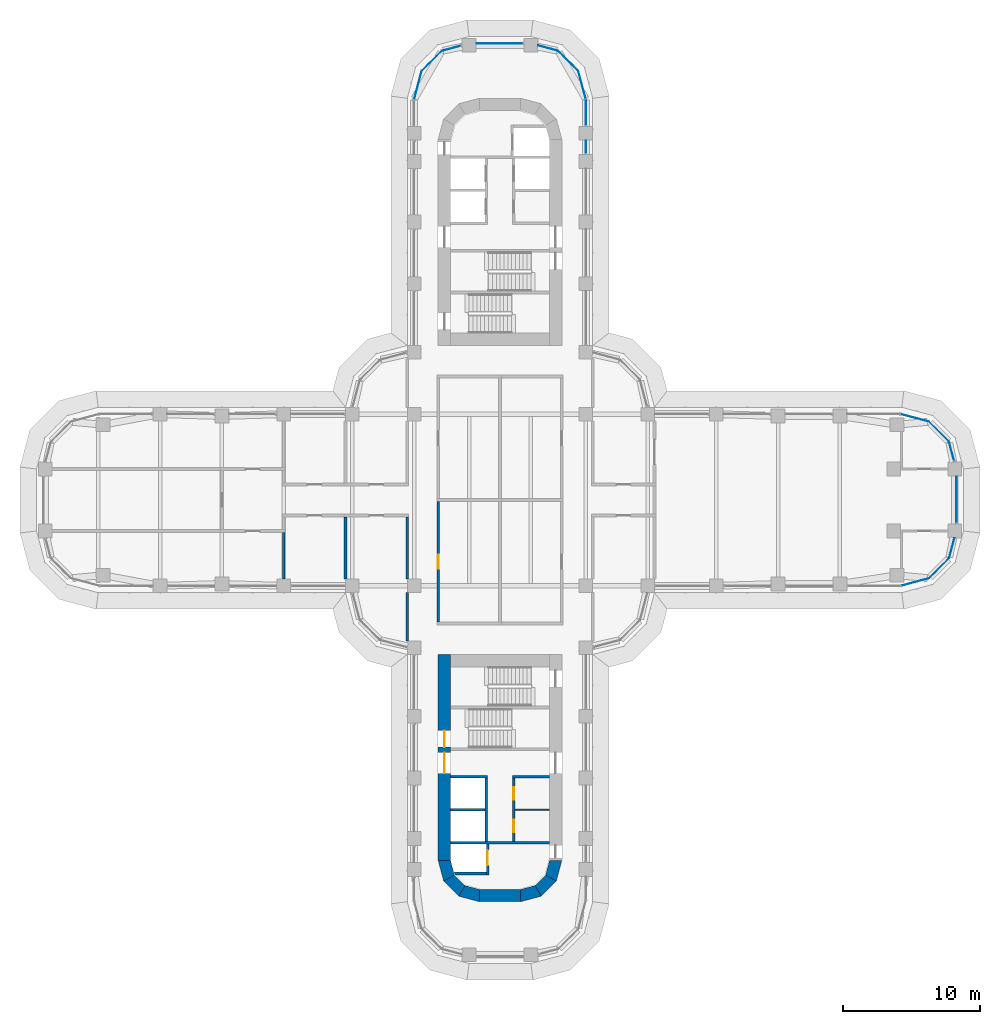
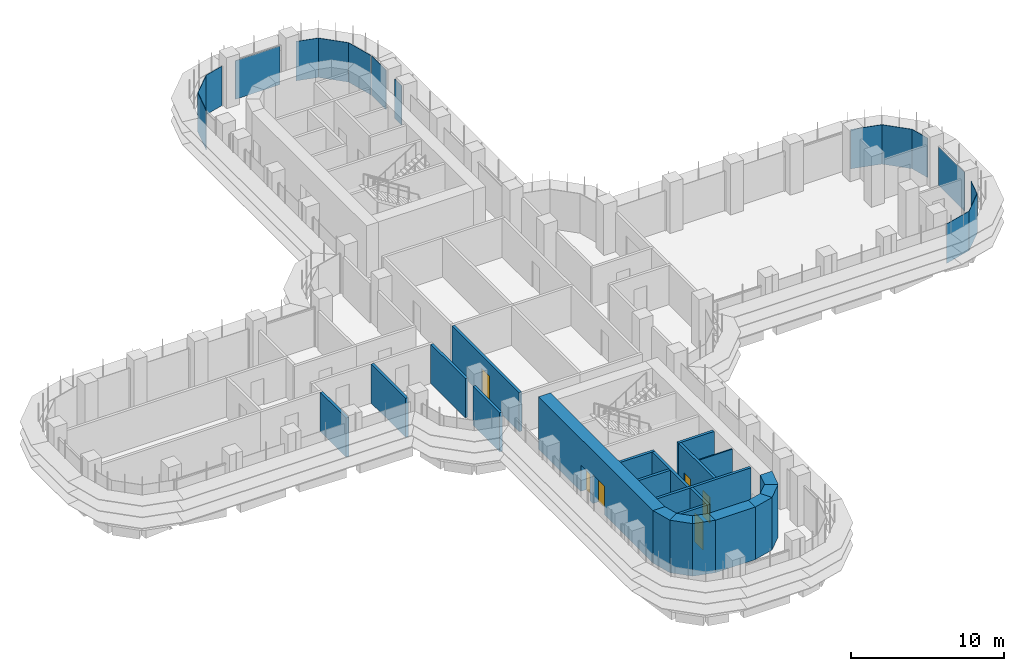
# One storey, part 16 of 23: 22 walls, 16 plates, 6 doors, 6 openings, 15 elements without a shape of their own.
"""IFC4 building model written with IfcOpenShell, lengths in metres."""

from ifc_helpers import new_model, si_unit, direction, frame, frame_2d, origin, place, context, subcontext, project, spatial, polyline, rectangle, outline, extrude, source, transform, mapped, material, layer, layer_set, type_object, element, fill, aggregate, save


model = new_model("IFC4")

# Units and contexts
model_context = context("Model", 3, precision=1e-05, world=origin(), true_north=direction((0.0, 1.0)))
body_context = subcontext(model_context, "Body", "Model", "MODEL_VIEW")
ifc_project = project(units=[si_unit("LENGTHUNIT", "METRE"), si_unit("AREAUNIT", "SQUARE_METRE"), si_unit("VOLUMEUNIT", "CUBIC_METRE"), si_unit("PLANEANGLEUNIT", "RADIAN"), si_unit("MASSUNIT", "GRAM", prefix="KILO")], contexts=[model_context])

# Site, building, storey
site_placement = place(None, origin())
site = spatial("IfcSite", under=ifc_project, at=site_placement, CompositionType="ELEMENT")
building_placement = place(site_placement, origin())
building = spatial("IfcBuilding", under=site, at=building_placement, Name="Zarbagh Exchange Tower", CompositionType="ELEMENT")
storey_placement = place(building_placement, frame((0.0, 0.0, 56.39990234375)))
storey = spatial("IfcBuildingStorey", under=building, at=storey_placement, Name="L12", CompositionType="ELEMENT", Elevation=56.39990234375)

# Curtain wall, plate
ifc_material_1 = material(Name="Anodised aluminium frame and glazing", Category="aluminium")
curtain_wall_type = type_object("IfcCurtainWallType", Name="CWA Ribbon glazing, lower zones", PredefinedType="NOTDEFINED", material=ifc_material_1)
curtain_wall_1_placement = place(storey_placement, origin())
curtain_wall_1 = element("IfcCurtainWall", 1, at=curtain_wall_1_placement, inside=storey, type_object=curtain_wall_type, Name="CWA13 curtain wall", PredefinedType="NOTDEFINED")
ifc_material_2 = material(Name="Low-e double glazed unit, 6+12+6 mm")
ifc_layer_1 = layer(ifc_material_2, 0.028076171875)
ifc_layer_set_1 = layer_set([ifc_layer_1], Name="PAA Glazing panel, Low-e double glazed unit, 6+12+6 mm")
plate_type = type_object("IfcPlateType", Name="PAA Glazing panel, Low-e double glazed unit, 6+12+6 mm", PredefinedType="CURTAIN_PANEL", material=ifc_layer_set_1)
shared_shape_1 = source(origin(), body_context, "Body", "SweptSolid", [
    extrude(outline(polyline([(0.0, -0.013916015625), (1.4423828125, -0.013916015625), (1.4423828125, 0.013916015625), (0.0, 0.013916015625), (0.0, -0.013916015625)])), origin(), (0.0, 0.0, 1.0), 3.14990234375),
])
placement = place(storey_placement, origin())
plate_1 = element("IfcPlate", 2, at=placement, type_object=plate_type, Name="CWA13 glazing panel 1.1", PredefinedType="CURTAIN_PANEL", context=body_context, shape_type="MappedRepresentation", body=[
    mapped(shared_shape_1, transform((33.072021484375, 2.847900390625, 0.0), x_axis=(-0.258824779902, 0.965924289636, 0.0), y_axis=(-0.965924289636, -0.258824779902, 0.0), z_axis=(0.0, 0.0, 1.0))),
])
aggregate(curtain_wall_1, [plate_1])

curtain_wall_2_placement = place(storey_placement, origin())
curtain_wall_2 = element("IfcCurtainWall", 3, at=curtain_wall_2_placement, inside=storey, type_object=curtain_wall_type, Name="CWA25 curtain wall", PredefinedType="NOTDEFINED")
plate_2 = element("IfcPlate", 4, at=placement, type_object=plate_type, Name="CWA25 glazing panel 1.1", PredefinedType="CURTAIN_PANEL", context=body_context, shape_type="MappedRepresentation", body=[
    mapped(shared_shape_1, transform((-2.847900390625, 33.072021484375, 0.0), x_axis=(-0.965924289636, -0.258824779902, 0.0), y_axis=(0.258824779902, -0.965924289636, 0.0), z_axis=(0.0, 0.0, 1.0))),
])
aggregate(curtain_wall_2, [plate_2])

curtain_wall_3_placement = place(storey_placement, origin())
curtain_wall_3 = element("IfcCurtainWall", 5, at=curtain_wall_3_placement, inside=storey, type_object=curtain_wall_type, Name="CWA10 curtain wall", PredefinedType="NOTDEFINED")
shared_shape_2 = source(origin(), body_context, "Body", "SweptSolid", [
    extrude(outline(polyline([(0.0, -0.013916015625), (2.061279296875, -0.013916015625), (2.061279296875, 0.013916015625), (0.0, 0.013916015625), (0.0, -0.013916015625)])), origin(), (0.0, 0.0, 1.0), 3.14990234375),
])
plate_3 = element("IfcPlate", 6, at=placement, type_object=plate_type, Name="CWA10 glazing panel 1.1", PredefinedType="CURTAIN_PANEL", context=body_context, shape_type="MappedRepresentation", body=[
    mapped(shared_shape_2, transform((31.2412109375, -5.69873046875, 0.0), x_axis=(0.707106781187, 0.707106781187, 0.0), y_axis=(-0.707106781187, 0.707106781187, 0.0), z_axis=(0.0, 0.0, 1.0))),
])
aggregate(curtain_wall_3, [plate_3])

curtain_wall_4_placement = place(storey_placement, origin())
curtain_wall_4 = element("IfcCurtainWall", 7, at=curtain_wall_4_placement, inside=storey, type_object=curtain_wall_type, Name="CWA14 curtain wall", PredefinedType="NOTDEFINED")
plate_4 = element("IfcPlate", 8, at=placement, type_object=plate_type, Name="CWA14 glazing panel 1.1", PredefinedType="CURTAIN_PANEL", context=body_context, shape_type="MappedRepresentation", body=[
    mapped(shared_shape_2, transform((32.69873046875, 4.2412109375, 0.0), x_axis=(-0.707106781187, 0.707106781187, 0.0), y_axis=(-0.707106781187, -0.707106781187, 0.0), z_axis=(0.0, 0.0, 1.0))),
])
aggregate(curtain_wall_4, [plate_4])

curtain_wall_5_placement = place(storey_placement, origin())
curtain_wall_5 = element("IfcCurtainWall", 9, at=curtain_wall_5_placement, inside=storey, type_object=curtain_wall_type, Name="CWA22 curtain wall", PredefinedType="NOTDEFINED")
plate_5 = element("IfcPlate", 10, at=placement, type_object=plate_type, Name="CWA22 glazing panel 1.1", PredefinedType="CURTAIN_PANEL", context=body_context, shape_type="MappedRepresentation", body=[
    mapped(shared_shape_2, transform((5.69873046875, 31.2412109375, 0.0), x_axis=(-0.707106781187, 0.707106781187, 0.0), y_axis=(-0.707106781187, -0.707106781187, 0.0), z_axis=(0.0, 0.0, 1.0))),
])
aggregate(curtain_wall_5, [plate_5])

curtain_wall_6_placement = place(storey_placement, origin())
curtain_wall_6 = element("IfcCurtainWall", 11, at=curtain_wall_6_placement, inside=storey, type_object=curtain_wall_type, Name="CWA26 curtain wall", PredefinedType="NOTDEFINED")
plate_6 = element("IfcPlate", 12, at=placement, type_object=plate_type, Name="CWA26 glazing panel 1.1", PredefinedType="CURTAIN_PANEL", context=body_context, shape_type="MappedRepresentation", body=[
    mapped(shared_shape_2, transform((-4.2412109375, 32.69873046875, 0.0), x_axis=(-0.707106781187, -0.707106781187, 0.0), y_axis=(0.707106781187, -0.707106781187, 0.0), z_axis=(0.0, 0.0, 1.0))),
])
aggregate(curtain_wall_6, [plate_6])

curtain_wall_7_placement = place(storey_placement, origin())
curtain_wall_7 = element("IfcCurtainWall", 13, at=curtain_wall_7_placement, inside=storey, type_object=curtain_wall_type, Name="CWA15 curtain wall", PredefinedType="NOTDEFINED")
shared_shape_3 = source(origin(), body_context, "Body", "SweptSolid", [
    extrude(outline(polyline([(0.0, -0.013916015625), (2.129638671875, -0.013916015625), (2.129638671875, 0.013916015625), (0.0, 0.013916015625), (0.0, -0.013916015625)])), origin(), (0.0, 0.0, 1.0), 3.14990234375),
])
plate_7 = element("IfcPlate", 14, at=placement, type_object=plate_type, Name="CWA15 glazing panel 1.1", PredefinedType="CURTAIN_PANEL", context=body_context, shape_type="MappedRepresentation", body=[
    mapped(shared_shape_3, transform((31.2412109375, 5.69873046875, 0.0), x_axis=(-0.965924289636, 0.258824779902, 0.0), y_axis=(-0.258824779902, -0.965924289636, 0.0), z_axis=(0.0, 0.0, 1.0))),
])
aggregate(curtain_wall_7, [plate_7])

curtain_wall_8_placement = place(storey_placement, origin())
curtain_wall_8 = element("IfcCurtainWall", 15, at=curtain_wall_8_placement, inside=storey, type_object=curtain_wall_type, Name="CWA27 curtain wall", PredefinedType="NOTDEFINED")
plate_8 = element("IfcPlate", 16, at=placement, type_object=plate_type, Name="CWA27 glazing panel 1.1", PredefinedType="CURTAIN_PANEL", context=body_context, shape_type="MappedRepresentation", body=[
    mapped(shared_shape_3, transform((-5.69873046875, 31.2412109375, 0.0), x_axis=(-0.258824779902, -0.965924289636, 0.0), y_axis=(0.965924289636, -0.258824779902, 0.0), z_axis=(0.0, 0.0, 1.0))),
])
aggregate(curtain_wall_8, [plate_8])

curtain_wall_9_placement = place(storey_placement, origin())
curtain_wall_9 = element("IfcCurtainWall", 17, at=curtain_wall_9_placement, inside=storey, type_object=curtain_wall_type, Name="CWA09 curtain wall", PredefinedType="NOTDEFINED")
shared_shape_4 = source(origin(), body_context, "Body", "SweptSolid", [
    extrude(outline(polyline([(0.0, -0.013916015625), (2.069580078125, -0.013916015625), (2.069580078125, 0.013916015625), (0.0, 0.013916015625), (0.0, -0.013916015625)])), origin(), (0.0, 0.0, 1.0), 3.14990234375),
])
plate_9 = element("IfcPlate", 18, at=placement, type_object=plate_type, Name="CWA09 glazing panel 1.1", PredefinedType="CURTAIN_PANEL", context=body_context, shape_type="MappedRepresentation", body=[
    mapped(shared_shape_4, transform((29.2421875, -6.234375, 0.0), x_axis=(0.965924289636, 0.258824779902, 0.0), y_axis=(-0.258824779902, 0.965924289636, 0.0), z_axis=(0.0, 0.0, 1.0))),
])
aggregate(curtain_wall_9, [plate_9])

curtain_wall_10_placement = place(storey_placement, origin())
curtain_wall_10 = element("IfcCurtainWall", 19, at=curtain_wall_10_placement, inside=storey, type_object=curtain_wall_type, Name="CWA21 curtain wall", PredefinedType="NOTDEFINED")
plate_10 = element("IfcPlate", 20, at=placement, type_object=plate_type, Name="CWA21 glazing panel 1.1", PredefinedType="CURTAIN_PANEL", context=body_context, shape_type="MappedRepresentation", body=[
    mapped(shared_shape_4, transform((6.234375, 29.2421875, 0.0), x_axis=(-0.258824779902, 0.965924289636, 0.0), y_axis=(-0.965924289636, -0.258824779902, 0.0), z_axis=(0.0, 0.0, 1.0))),
])
aggregate(curtain_wall_10, [plate_10])

curtain_wall_11_placement = place(storey_placement, origin())
curtain_wall_11 = element("IfcCurtainWall", 21, at=curtain_wall_11_placement, inside=storey, type_object=curtain_wall_type, Name="CWA11 curtain wall", PredefinedType="NOTDEFINED")
shared_shape_5 = source(origin(), body_context, "Body", "SweptSolid", [
    extrude(outline(polyline([(0.0, -0.013916015625), (1.50244140625, -0.013916015625), (1.50244140625, 0.013916015625), (0.0, 0.013916015625), (0.0, -0.013916015625)])), origin(), (0.0, 0.0, 1.0), 3.14990234375),
])
plate_11 = element("IfcPlate", 22, at=placement, type_object=plate_type, Name="CWA11 glazing panel 1.1", PredefinedType="CURTAIN_PANEL", context=body_context, shape_type="MappedRepresentation", body=[
    mapped(shared_shape_5, transform((32.69873046875, -4.2412109375, 0.0), x_axis=(0.258824779902, 0.965924289636, 0.0), y_axis=(-0.965924289636, 0.258824779902, 0.0), z_axis=(0.0, 0.0, 1.0))),
])
aggregate(curtain_wall_11, [plate_11])

curtain_wall_12_placement = place(storey_placement, origin())
curtain_wall_12 = element("IfcCurtainWall", 23, at=curtain_wall_12_placement, inside=storey, type_object=curtain_wall_type, Name="CWA23 curtain wall", PredefinedType="NOTDEFINED")
plate_12 = element("IfcPlate", 24, at=placement, type_object=plate_type, Name="CWA23 glazing panel 1.1", PredefinedType="CURTAIN_PANEL", context=body_context, shape_type="MappedRepresentation", body=[
    mapped(shared_shape_5, transform((4.2412109375, 32.69873046875, 0.0), x_axis=(-0.965924289636, 0.258824779902, 0.0), y_axis=(-0.258824779902, -0.965924289636, 0.0), z_axis=(0.0, 0.0, 1.0))),
])
aggregate(curtain_wall_12, [plate_12])

curtain_wall_13_placement = place(storey_placement, origin())
curtain_wall_13 = element("IfcCurtainWall", 25, at=curtain_wall_13_placement, inside=storey, type_object=curtain_wall_type, Name="CWA12 curtain wall", PredefinedType="NOTDEFINED")
shared_shape_6 = source(origin(), body_context, "Body", "SweptSolid", [
    extrude(outline(polyline([(0.0, -0.013916015625), (3.360107421875, -0.013916015625), (3.360107421875, 0.013916015625), (0.0, 0.013916015625), (0.0, -0.013916015625)])), origin(), (0.0, 0.0, 1.0), 3.090087890625),
])
plate_13 = element("IfcPlate", 26, at=placement, type_object=plate_type, Name="CWA12 glazing panel 1.1", PredefinedType="CURTAIN_PANEL", context=body_context, shape_type="MappedRepresentation", body=[
    mapped(shared_shape_6, transform((33.25, -1.64990234375, 0.0), x_axis=(0.0, 1.0, 0.0), y_axis=(-1.0, 0.0, 0.0), z_axis=(0.0, 0.0, 1.0))),
])
aggregate(curtain_wall_13, [plate_13])

curtain_wall_14_placement = place(storey_placement, origin())
curtain_wall_14 = element("IfcCurtainWall", 27, at=curtain_wall_14_placement, inside=storey, type_object=curtain_wall_type, Name="CWA24 curtain wall", PredefinedType="NOTDEFINED")
plate_14 = element("IfcPlate", 28, at=placement, type_object=plate_type, Name="CWA24 glazing panel 1.1", PredefinedType="CURTAIN_PANEL", context=body_context, shape_type="MappedRepresentation", body=[
    mapped(shared_shape_6, transform((1.64990234375, 33.25, 0.0), x_axis=(-1.0, 0.0, 0.0), y_axis=(0.0, -1.0, 0.0), z_axis=(0.0, 0.0, 1.0))),
])
aggregate(curtain_wall_14, [plate_14])

# Curtain wall, plates
curtain_wall_15_placement = place(storey_placement, origin())
curtain_wall_15 = element("IfcCurtainWall", 29, at=curtain_wall_15_placement, inside=storey, type_object=curtain_wall_type, Name="CWA20 curtain wall", PredefinedType="NOTDEFINED")
shared_shape_7 = source(origin(), body_context, "Body", "SweptSolid", [
    extrude(outline(polyline([(0.0, -0.013916015625), (0.909912109375, -0.013916015625), (0.909912109375, 0.013916015625), (0.0, 0.013916015625), (0.0, -0.013916015625)])), origin(), (0.0, 0.0, 1.0), 3.14990234375),
])
plate_15 = element("IfcPlate", 30, at=placement, type_object=plate_type, Name="CWA20 glazing panel 4.1", PredefinedType="CURTAIN_PANEL", context=body_context, shape_type="MappedRepresentation", body=[
    mapped(shared_shape_7, transform((6.25, 25.25, 0.0), x_axis=(0.0, 1.0, 0.0), y_axis=(-1.0, 0.0, 0.0), z_axis=(0.0, 0.0, 1.0))),
])
shared_shape_8 = source(origin(), body_context, "Body", "SweptSolid", [
    extrude(outline(polyline([(0.0, -0.013916015625), (1.884033203125, -0.013916015625), (1.884033203125, 0.013916015625), (0.0, 0.013916015625), (0.0, -0.013916015625)])), origin(), (0.0, 0.0, 1.0), 3.14990234375),
])
plate_16 = element("IfcPlate", 31, at=placement, type_object=plate_type, Name="CWA20 glazing panel 5.1", PredefinedType="CURTAIN_PANEL", context=body_context, shape_type="MappedRepresentation", body=[
    mapped(shared_shape_8, transform((6.25, 27.300048828125, 0.0), x_axis=(0.0, 1.0, 0.0), y_axis=(-1.0, 0.0, 0.0), z_axis=(0.0, 0.0, 1.0))),
])
aggregate(curtain_wall_15, [plate_15, plate_16])

# Wall
ifc_material_3 = material(Name="Dense blockwork", Category="masonry")
ifc_layer_2 = layer(ifc_material_3, 0.10009765625)
ifc_layer_set_2 = layer_set([ifc_layer_2], Name="Core partition 100 mm blockwork")
wall_type_1 = type_object("IfcWallType", Name="Core partition 100 mm blockwork", PredefinedType="PARTITIONING", material=ifc_layer_set_2)
wall_1_placement = place(storey_placement, frame((3.60009765625, -22.550048828125, 0.0), z_axis=(0.0, 0.0, 1.0), x_axis=(-1.0, 0.0, 0.0)))
element("IfcWall", 32, at=wall_1_placement, inside=storey, type_object=wall_type_1, Name="South core partition wall CUT-W-580", PredefinedType="PARTITIONING", context=body_context, shape_type="SweptSolid", body=[
    extrude(rectangle(XDim=2.5, YDim=0.10009765625, at=frame_2d((1.25, 0.0))), origin(), (0.0, 0.0, 1.0), 4.050048828125),
])

# Wall, opening, door
ifc_material_4 = material(Name="Fire-rated plasterboard partition")
ifc_layer_3 = layer(ifc_material_4, 0.199951171875)
ifc_layer_set_3 = layer_set([ifc_layer_3], Name="RATED PARTITION 200")
wall_type_2 = type_object("IfcWallType", Name="RATED PARTITION 200", PredefinedType="PARTITIONING", material=ifc_layer_set_3)
wall_2_placement = place(storey_placement, frame((-4.5, -0.10009765625, 0.0), z_axis=(0.0, 0.0, 1.0), x_axis=(0.0, -1.0, 0.0)))
wall_2 = element("IfcWall", 33, at=wall_2_placement, inside=storey, type_object=wall_type_2, Name="Partition W-402", PredefinedType="PARTITIONING", context=body_context, shape_type="SweptSolid", body=[
    extrude(rectangle(XDim=8.7998046875, YDim=0.199951171875, at=frame_2d((4.39990234375, 0.0))), origin(), (0.0, 0.0, 1.0), 3.130615234375),
])
opening_1_placement = place(wall_2_placement, frame((3.89990234375, 0.0, 0.0)))
opening_1 = element("IfcOpeningElement", 34, at=opening_1_placement, cuts=wall_2, Name="Opening D-404", PredefinedType="OPENING", context=body_context, shape_type="SweptSolid", body=[
    extrude(rectangle(XDim=1.0, YDim=2.10009765625, at=frame_2d((0.5, 1.050048828125))), frame((0.0, 0.10986328125, 0.0), z_axis=(0.0, -1.0, 0.0), x_axis=(1.0, 0.0, 0.0)), (0.0, 0.0, 1.0), 0.219970703125),
])
ifc_material_5 = material(Name="Steel door set", Category="steel")
door_type_1 = type_object("IfcDoorType", Name="FIRE DOOR 1000 X 2100 FD30S", OperationType="NOTDEFINED", PredefinedType="DOOR", material=ifc_material_5)
door_1_placement = place(opening_1_placement, origin())
door_1 = element("IfcDoor", 35, at=door_1_placement, inside=storey, type_object=door_type_1, Name="Door D-404", OperationType="SINGLE_SWING_RIGHT", OverallHeight=2.10009765625, OverallWidth=1.0, PredefinedType="DOOR", context=body_context, shape_type="SweptSolid", body=[
    extrude(rectangle(XDim=1.0, YDim=2.10009765625, at=frame_2d((0.5, 1.050048828125))), frame((0.0, 0.02490234375, 0.0), z_axis=(0.0, -1.0, 0.0), x_axis=(1.0, 0.0, 0.0)), (0.0, 0.0, 1.0), 0.050048828125),
])
fill(opening_1, door_1)

# Walls
wall_3_placement = place(storey_placement, frame((-6.75, -10.25, 0.0), z_axis=(0.0, 0.0, 1.0), x_axis=(0.0, 1.0, 0.0)))
element("IfcWall", 36, at=wall_3_placement, inside=storey, type_object=wall_type_2, Name="Partition W-405", PredefinedType="PARTITIONING", context=body_context, shape_type="SweptSolid", body=[
    extrude(rectangle(XDim=3.5, YDim=0.199951171875, at=frame_2d((1.75, 0.0))), origin(), (0.0, 0.0, 1.0), 3.130615234375),
])
for number, where, z_axis, x_axis, name in (
    (37, (-6.75, -5.75, 0.0), (0.0, 0.0, 1.0), (0.0, 1.0, 0.0), "Partition W-406"),
    (38, (-11.25, -5.75, 0.0), (0.0, 0.0, 1.0), (0.0, 1.0, 0.0), "Partition W-435"),
):
    element("IfcWall", number, at=place(storey_placement, frame(where, z_axis=z_axis, x_axis=x_axis)), inside=storey, type_object=wall_type_2, Name=name, PredefinedType="PARTITIONING", context=body_context, shape_type="SweptSolid", body=[
        extrude(rectangle(XDim=4.52490234375, YDim=0.199951171875, at=frame_2d((2.262451171875, 0.0))), origin(), (0.0, 0.0, 1.0), 3.130615234375),
    ])
wall_4_placement = place(storey_placement, frame((-15.75, -5.75, 0.0), z_axis=(0.0, 0.0, 1.0), x_axis=(0.0, 1.0, 0.0)))
element("IfcWall", 39, at=wall_4_placement, inside=storey, type_object=wall_type_2, Name="Partition W-439", PredefinedType="PARTITIONING", context=body_context, shape_type="SweptSolid", body=[
    extrude(rectangle(XDim=3.39990234375, YDim=0.199951171875, at=frame_2d((1.699951171875, 0.0))), origin(), (0.0, 0.0, 1.0), 3.130615234375),
])
ifc_material_6 = material(Name="Concrete C60/75", Category="concrete")
ifc_layer_4 = layer(ifc_material_6, 0.89990234375)
ifc_layer_set_4 = layer_set([ifc_layer_4], Name="RC core corner wall 900 C60/75")
wall_type_3 = type_object("IfcWallType", Name="RC core corner wall 900 C60/75", PredefinedType="SHEAR", material=ifc_layer_set_4)
wall_5_placement = place(storey_placement, origin())
element("IfcWall", 40, at=wall_5_placement, inside=storey, type_object=wall_type_3, Name="CW2 core S corner W", PredefinedType="SHEAR", context=body_context, shape_type="SweptSolid", body=[
    extrude(outline(polyline([(-4.5, -26.25), (-4.09814453125, -27.75), (-3.318603515625, -27.300048828125), (-3.60009765625, -26.25), (-4.5, -26.25)])), origin(), (0.0, 0.0, 1.0), 4.2001953125),
])
wall_6_placement = place(storey_placement, origin())
element("IfcWall", 41, at=wall_6_placement, inside=storey, type_object=wall_type_3, Name="CW2 core S corner W", PredefinedType="SHEAR", context=body_context, shape_type="SweptSolid", body=[
    extrude(outline(polyline([(-4.09814453125, -27.75), (-3.0, -28.84814453125), (-2.550048828125, -28.068603515625), (-3.318603515625, -27.300048828125), (-4.09814453125, -27.75)])), origin(), (0.0, 0.0, 1.0), 4.2001953125),
])
wall_7_placement = place(storey_placement, origin())
element("IfcWall", 42, at=wall_7_placement, inside=storey, type_object=wall_type_3, Name="CW2 core S corner W", PredefinedType="SHEAR", context=body_context, shape_type="SweptSolid", body=[
    extrude(outline(polyline([(-3.0, -28.84814453125), (-1.5, -29.25), (-1.5, -28.35009765625), (-2.550048828125, -28.068603515625), (-3.0, -28.84814453125)])), origin(), (0.0, 0.0, 1.0), 4.2001953125),
])
wall_8_placement = place(storey_placement, origin())
element("IfcWall", 43, at=wall_8_placement, inside=storey, type_object=wall_type_3, Name="CW2 core S corner E", PredefinedType="SHEAR", context=body_context, shape_type="SweptSolid", body=[
    extrude(outline(polyline([(4.5, -26.25), (4.09814453125, -27.75), (3.318603515625, -27.300048828125), (3.60009765625, -26.25), (4.5, -26.25)])), origin(), (0.0, 0.0, 1.0), 4.2001953125),
])
wall_9_placement = place(storey_placement, origin())
element("IfcWall", 44, at=wall_9_placement, inside=storey, type_object=wall_type_3, Name="CW2 core S corner E", PredefinedType="SHEAR", context=body_context, shape_type="SweptSolid", body=[
    extrude(outline(polyline([(4.09814453125, -27.75), (3.0, -28.84814453125), (2.550048828125, -28.068603515625), (3.318603515625, -27.300048828125), (4.09814453125, -27.75)])), origin(), (0.0, 0.0, 1.0), 4.2001953125),
])
wall_10_placement = place(storey_placement, origin())
element("IfcWall", 45, at=wall_10_placement, inside=storey, type_object=wall_type_3, Name="CW2 core S corner E", PredefinedType="SHEAR", context=body_context, shape_type="SweptSolid", body=[
    extrude(outline(polyline([(3.0, -28.84814453125), (1.5, -29.25), (1.5, -28.35009765625), (2.550048828125, -28.068603515625), (3.0, -28.84814453125)])), origin(), (0.0, 0.0, 1.0), 4.2001953125),
])

# Wall, openings, doors
ifc_layer_5 = layer(ifc_material_6, 0.89990234375)
ifc_layer_set_5 = layer_set([ifc_layer_5], Name="RC core wall 900 C60/75")
wall_type_4 = type_object("IfcWallType", Name="RC core wall 900 C60/75", PredefinedType="SHEAR", material=ifc_layer_set_5)
wall_11_placement = place(storey_placement, frame((-4.050048828125, -11.25, 0.0), z_axis=(0.0, 0.0, 1.0), x_axis=(0.0, -1.0, 0.0)))
wall_11 = element("IfcWall", 46, at=wall_11_placement, inside=storey, type_object=wall_type_4, Name="CW1 core S W", PredefinedType="SHEAR", context=body_context, shape_type="SweptSolid", body=[
    extrude(rectangle(XDim=15.0, YDim=0.89990234375, at=frame_2d((7.5, 0.0))), origin(), (0.0, 0.0, 1.0), 4.2001953125),
])
opening_2_placement = place(wall_11_placement, frame((7.14990234375, 0.0, 0.0)))
opening_2 = element("IfcOpeningElement", 47, at=opening_2_placement, cuts=wall_11, Name="Opening CD1-1500", PredefinedType="OPENING", context=body_context, shape_type="SweptSolid", body=[
    extrude(rectangle(XDim=1.5, YDim=2.300048828125, at=frame_2d((0.75, 1.14990234375))), frame((0.0, 0.4599609375, 0.0), z_axis=(0.0, -1.0, 0.0), x_axis=(1.0, 0.0, 0.0)), (0.0, 0.0, 1.0), 0.919921875),
])
opening_3_placement = place(wall_11_placement, frame((5.550048828125, 0.0, 0.0)))
opening_3 = element("IfcOpeningElement", 48, at=opening_3_placement, cuts=wall_11, Name="Opening SD1-1200", PredefinedType="OPENING", context=body_context, shape_type="SweptSolid", body=[
    extrude(rectangle(XDim=1.199951171875, YDim=2.10009765625, at=frame_2d((0.60009765625, 1.050048828125))), frame((0.0, 0.4599609375, 0.0), z_axis=(0.0, -1.0, 0.0), x_axis=(1.0, 0.0, 0.0)), (0.0, 0.0, 1.0), 0.919921875),
])
ifc_material_7 = material(Name="Steel", Category="steel")
door_type_2 = type_object("IfcDoorType", Name="Exit stair door 1200 x 2100", OperationType="NOTDEFINED", PredefinedType="DOOR", material=ifc_material_7)
door_2_placement = place(opening_3_placement, origin())
door_2 = element("IfcDoor", 49, at=door_2_placement, inside=storey, type_object=door_type_2, Name="South core stair door ST1", OperationType="SINGLE_SWING_LEFT", OverallHeight=2.10009765625, OverallWidth=1.199951171875, PredefinedType="DOOR", context=body_context, shape_type="SweptSolid", body=[
    extrude(rectangle(XDim=1.199951171875, YDim=2.10009765625, at=frame_2d((0.60009765625, 1.050048828125))), frame((0.0, 0.02490234375, 0.0), z_axis=(0.0, -1.0, 0.0), x_axis=(1.0, 0.0, 0.0)), (0.0, 0.0, 1.0), 0.050048828125),
])
fill(opening_3, door_2)
door_type_3 = type_object("IfcDoorType", Name="Lift lobby double door 1500 x 2300", OperationType="NOTDEFINED", PredefinedType="DOOR", material=ifc_material_7)
door_3_placement = place(opening_2_placement, origin())
door_3 = element("IfcDoor", 50, at=door_3_placement, inside=storey, type_object=door_type_3, Name="South core lift lobby door LOBBY-E", OperationType="DOUBLE_DOOR_SINGLE_SWING", OverallHeight=2.300048828125, OverallWidth=1.5, PredefinedType="DOOR", context=body_context, shape_type="SweptSolid", body=[
    extrude(rectangle(XDim=1.5, YDim=2.300048828125, at=frame_2d((0.75, 1.14990234375))), frame((0.0, 0.02490234375, 0.0), z_axis=(0.0, -1.0, 0.0), x_axis=(1.0, 0.0, 0.0)), (0.0, 0.0, 1.0), 0.050048828125),
])
fill(opening_2, door_3)

# Walls
wall_12_placement = place(storey_placement, frame((-1.5, -28.800048828125, 0.0), z_axis=(0.0, 0.0, 1.0), x_axis=(1.0, 0.0, 0.0)))
element("IfcWall", 51, at=wall_12_placement, inside=storey, type_object=wall_type_4, Name="CW1 core S outer end", PredefinedType="SHEAR", context=body_context, shape_type="SweptSolid", body=[
    extrude(rectangle(XDim=3.0, YDim=0.89990234375, at=frame_2d((1.5, 0.0))), origin(), (0.0, 0.0, 1.0), 4.2001953125),
])
ifc_layer_6 = layer(ifc_material_3, 0.199951171875)
ifc_layer_set_6 = layer_set([ifc_layer_6], Name="Shaft wall 200 mm blockwork")
wall_type_5 = type_object("IfcWallType", Name="Shaft wall 200 mm blockwork", PredefinedType="PARTITIONING", material=ifc_layer_set_6)
wall_13_placement = place(storey_placement, frame((3.60009765625, -20.14990234375, 0.0), z_axis=(0.0, 0.0, 1.0), x_axis=(-1.0, 0.0, 0.0)))
element("IfcWall", 52, at=wall_13_placement, inside=storey, type_object=wall_type_5, Name="South core shaft wall AB-W", PredefinedType="PARTITIONING", context=body_context, shape_type="SweptSolid", body=[
    extrude(rectangle(XDim=2.7001953125, YDim=0.199951171875, at=frame_2d((1.35009765625, 0.0))), origin(), (0.0, 0.0, 1.0), 4.050048828125),
])

# Wall, openings, doors
wall_14_placement = place(storey_placement, frame((1.0, -24.85009765625, 0.0), z_axis=(0.0, 0.0, 1.0), x_axis=(0.0, 1.0, 0.0)))
wall_14 = element("IfcWall", 53, at=wall_14_placement, inside=storey, type_object=wall_type_5, Name="South core shaft wall LW-W", PredefinedType="PARTITIONING", context=body_context, shape_type="SweptSolid", body=[
    extrude(rectangle(XDim=4.60009765625, YDim=0.199951171875, at=frame_2d((2.300048828125, 0.0))), origin(), (0.0, 0.0, 1.0), 4.050048828125),
])
opening_4_placement = place(wall_14_placement, frame((0.675048828125, 0.0, 0.0)))
opening_4 = element("IfcOpeningElement", 54, at=opening_4_placement, cuts=wall_14, Name="Opening CD3-900", PredefinedType="OPENING", context=body_context, shape_type="SweptSolid", body=[
    extrude(rectangle(XDim=0.89990234375, YDim=2.10009765625, at=frame_2d((0.449951171875, 1.050048828125))), frame((0.0, 0.10986328125, 0.0), z_axis=(0.0, -1.0, 0.0), x_axis=(1.0, 0.0, 0.0)), (0.0, 0.0, 1.0), 0.219970703125),
])
opening_5_placement = place(wall_14_placement, frame((3.02490234375, 0.0, 0.0)))
opening_5 = element("IfcOpeningElement", 55, at=opening_5_placement, cuts=wall_14, Name="Opening CD3-900", PredefinedType="OPENING", context=body_context, shape_type="SweptSolid", body=[
    extrude(rectangle(XDim=0.89990234375, YDim=2.10009765625, at=frame_2d((0.449951171875, 1.050048828125))), frame((0.0, 0.10986328125, 0.0), z_axis=(0.0, -1.0, 0.0), x_axis=(1.0, 0.0, 0.0)), (0.0, 0.0, 1.0), 0.219970703125),
])
door_type_4 = type_object("IfcDoorType", Name="Core room door 900 x 2100", OperationType="NOTDEFINED", PredefinedType="DOOR", material=ifc_material_7)
door_4_placement = place(opening_4_placement, origin())
door_4 = element("IfcDoor", 56, at=door_4_placement, inside=storey, type_object=door_type_4, Name="South core Staff WC door RD-W-0", OperationType="SINGLE_SWING_LEFT", OverallHeight=2.10009765625, OverallWidth=0.89990234375, PredefinedType="DOOR", context=body_context, shape_type="SweptSolid", body=[
    extrude(rectangle(XDim=0.89990234375, YDim=2.10009765625, at=frame_2d((0.449951171875, 1.050048828125))), frame((0.0, 0.02490234375, 0.0), z_axis=(0.0, -1.0, 0.0), x_axis=(1.0, 0.0, 0.0)), (0.0, 0.0, 1.0), 0.050048828125),
])
fill(opening_4, door_4)
door_5_placement = place(opening_5_placement, origin())
door_5 = element("IfcDoor", 57, at=door_5_placement, inside=storey, type_object=door_type_4, Name="South core Accessible WC door RD-W-1", OperationType="SINGLE_SWING_LEFT", OverallHeight=2.10009765625, OverallWidth=0.89990234375, PredefinedType="DOOR", context=body_context, shape_type="SweptSolid", body=[
    extrude(rectangle(XDim=0.89990234375, YDim=2.10009765625, at=frame_2d((0.449951171875, 1.050048828125))), frame((0.0, 0.02490234375, 0.0), z_axis=(0.0, -1.0, 0.0), x_axis=(1.0, 0.0, 0.0)), (0.0, 0.0, 1.0), 0.050048828125),
])
fill(opening_5, door_5)

# Walls
wall_15_placement = place(storey_placement, frame((-0.89990234375, -20.14990234375, 0.0), z_axis=(0.0, 0.0, 1.0), x_axis=(-1.0, 0.0, 0.0)))
element("IfcWall", 58, at=wall_15_placement, inside=storey, type_object=wall_type_5, Name="South core shaft wall AB-E", PredefinedType="PARTITIONING", context=body_context, shape_type="SweptSolid", body=[
    extrude(rectangle(XDim=2.7001953125, YDim=0.199951171875, at=frame_2d((1.35009765625, 0.0))), origin(), (0.0, 0.0, 1.0), 4.050048828125),
])
wall_16_placement = place(storey_placement, frame((-1.0, -24.85009765625, 0.0), z_axis=(0.0, 0.0, 1.0), x_axis=(0.0, 1.0, 0.0)))
element("IfcWall", 59, at=wall_16_placement, inside=storey, type_object=wall_type_5, Name="South core shaft wall LW-E", PredefinedType="PARTITIONING", context=body_context, shape_type="SweptSolid", body=[
    extrude(rectangle(XDim=4.60009765625, YDim=0.199951171875, at=frame_2d((2.300048828125, 0.0))), origin(), (0.0, 0.0, 1.0), 4.050048828125),
])
wall_17_placement = place(storey_placement, frame((-1.10009765625, -22.550048828125, 0.0), z_axis=(0.0, 0.0, 1.0), x_axis=(-1.0, 0.0, 0.0)))
element("IfcWall", 60, at=wall_17_placement, inside=storey, type_object=wall_type_5, Name="South core shaft wall TR-E", PredefinedType="PARTITIONING", context=body_context, shape_type="SweptSolid", body=[
    extrude(rectangle(XDim=2.5, YDim=0.199951171875, at=frame_2d((1.25, 0.0))), origin(), (0.0, 0.0, 1.0), 4.050048828125),
])
ifc_material_8 = material(Name="Concrete C40/50", Category="concrete")
ifc_layer_7 = layer(ifc_material_8, 0.199951171875)
ifc_layer_set_7 = layer_set([ifc_layer_7], Name="Stair enclosure wall 200 mm RC C40/50")
wall_type_6 = type_object("IfcWallType", Name="Stair enclosure wall 200 mm RC C40/50", PredefinedType="SHEAR", material=ifc_layer_set_7)
wall_18_placement = place(storey_placement, frame((3.60009765625, -24.949951171875, 0.0), z_axis=(0.0, 0.0, 1.0), x_axis=(-1.0, 0.0, 0.0)))
element("IfcWall", 61, at=wall_18_placement, inside=storey, type_object=wall_type_6, Name="South core lift shaft wall FFA", PredefinedType="SHEAR", context=body_context, shape_type="SweptSolid", body=[
    extrude(rectangle(XDim=7.2001953125, YDim=0.199951171875, at=frame_2d((3.60009765625, 0.0))), origin(), (0.0, 0.0, 1.0), 4.050048828125),
])

# Wall, opening, door
wall_19_placement = place(storey_placement, frame((-0.89990234375, -27.300048828125, 0.0), z_axis=(0.0, 0.0, 1.0), x_axis=(0.0, 1.0, 0.0)))
wall_19 = element("IfcWall", 62, at=wall_19_placement, inside=storey, type_object=wall_type_6, Name="South core lift shaft wall FFL", PredefinedType="SHEAR", context=body_context, shape_type="SweptSolid", body=[
    extrude(rectangle(XDim=2.25, YDim=0.199951171875, at=frame_2d((1.125, 0.0))), origin(), (0.0, 0.0, 1.0), 4.050048828125),
])
opening_6_placement = place(wall_19_placement, frame((0.699951171875, 0.0, 0.0)))
opening_6 = element("IfcOpeningElement", 63, at=opening_6_placement, cuts=wall_19, Name="Opening LD-1100", PredefinedType="OPENING", context=body_context, shape_type="SweptSolid", body=[
    extrude(rectangle(XDim=1.10009765625, YDim=2.300048828125, at=frame_2d((0.550048828125, 1.14990234375))), frame((0.0, 0.10986328125, 0.0), z_axis=(0.0, -1.0, 0.0), x_axis=(1.0, 0.0, 0.0)), (0.0, 0.0, 1.0), 0.219970703125),
])
ifc_material_9 = material(Name="Stainless steel", Category="steel")
door_type_5 = type_object("IfcDoorType", Name="Lift landing door 1100 x 2300", OperationType="NOTDEFINED", PredefinedType="DOOR", material=ifc_material_9)
door_6_placement = place(opening_6_placement, origin())
door_6 = element("IfcDoor", 64, at=door_6_placement, inside=storey, type_object=door_type_5, Name="South core lift landing door LD-F", OperationType="DOUBLE_DOOR_SLIDING", OverallHeight=2.300048828125, OverallWidth=1.10009765625, PredefinedType="DOOR", context=body_context, shape_type="SweptSolid", body=[
    extrude(rectangle(XDim=1.10009765625, YDim=2.300048828125, at=frame_2d((0.550048828125, 1.14990234375))), frame((0.0, 0.02490234375, 0.0), z_axis=(0.0, -1.0, 0.0), x_axis=(1.0, 0.0, 0.0)), (0.0, 0.0, 1.0), 0.050048828125),
])
fill(opening_6, door_6)

# Wall
wall_20_placement = place(storey_placement, origin())
element("IfcWall", 65, at=wall_20_placement, inside=storey, type_object=wall_type_6, Name="South core lift shaft wall FFX", PredefinedType="SHEAR", context=body_context, shape_type="SweptSolid", body=[
    extrude(outline(polyline([(-1.0, -27.10009765625), (-3.340576171875, -27.10009765625), (-3.291259765625, -27.2841796875), (-3.275390625, -27.300048828125), (-1.0, -27.300048828125), (-1.0, -27.10009765625)])), origin(), (0.0, 0.0, 1.0), 4.050048828125),
])

save(model, "model.ifc")
